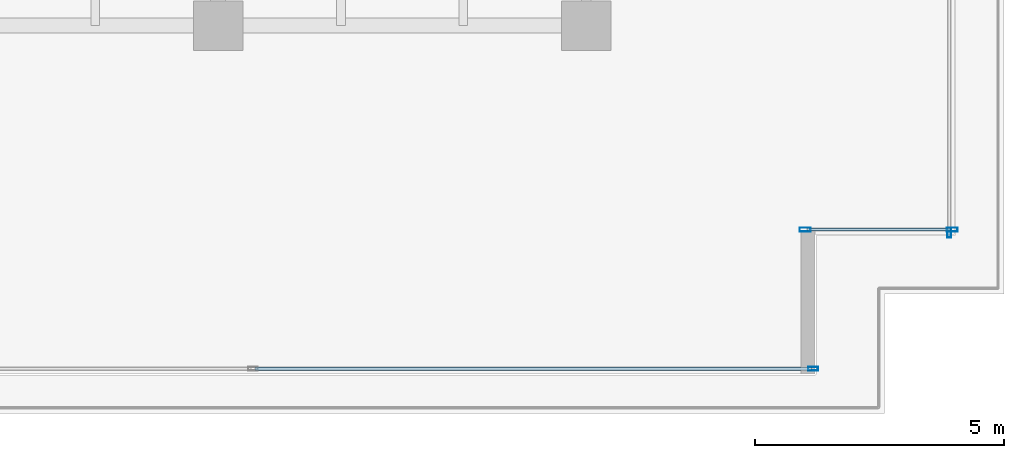
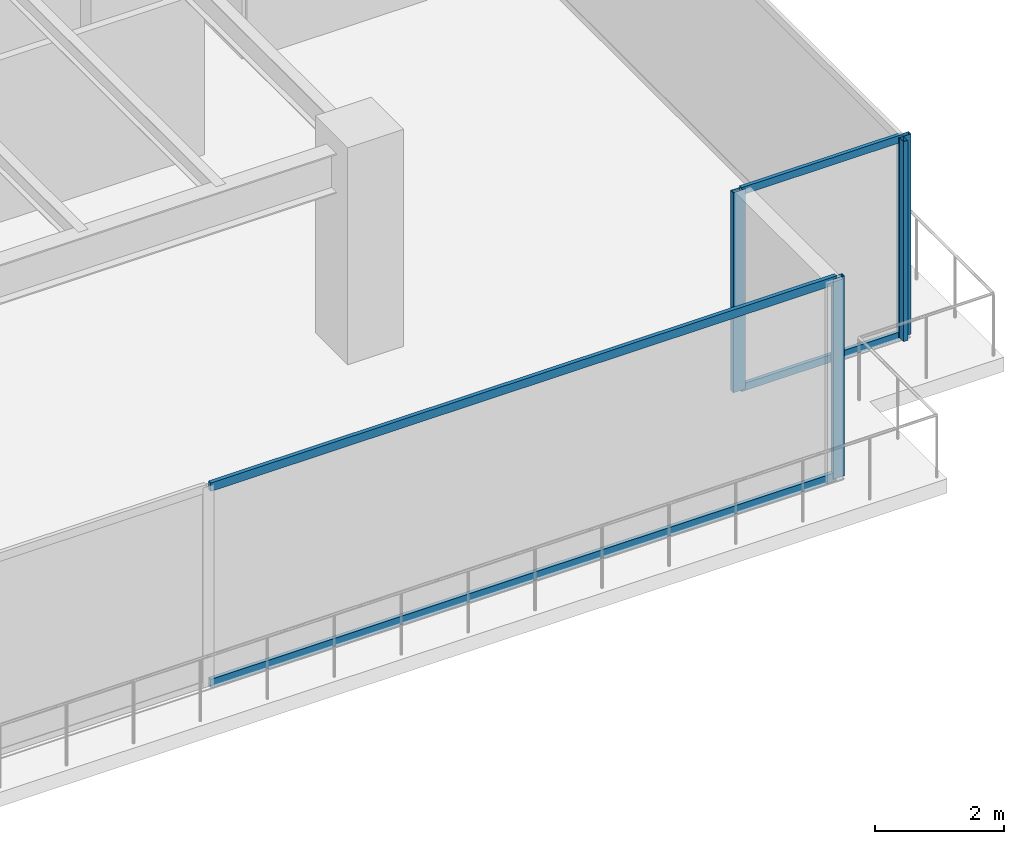
# One storey, part 23 of 36: 8 members, 3 elements without a shape of their own.
"""IFC4 building model written with IfcOpenShell, lengths in metres."""

from ifc_helpers import new_model, si_unit, direction, frame, origin, origin_2d, place, context, subcontext, project, spatial, hollow_rectangle, extrude, source, transform, mapped, material, layer, layer_set, material_profile, profile_set, type_object, type_shapes, element, aggregate, save


model = new_model("IFC4")

# Units and contexts
model_context = context("Model", 3, precision=1e-05, world=origin(), true_north=direction((0.0, 1.0)))
body_context = subcontext(model_context, "Body", "Model", "MODEL_VIEW")
ifc_project = project(units=[si_unit("LENGTHUNIT", "METRE"), si_unit("AREAUNIT", "SQUARE_METRE"), si_unit("VOLUMEUNIT", "CUBIC_METRE"), si_unit("PLANEANGLEUNIT", "RADIAN"), si_unit("MASSUNIT", "GRAM", prefix="KILO")], contexts=[model_context])

# Site, building, storey
site_placement = place(None, origin())
site = spatial("IfcSite", under=ifc_project, at=site_placement, CompositionType="ELEMENT")
building_placement = place(site_placement, origin())
building = spatial("IfcBuilding", under=site, at=building_placement, Name="Haelvirn Gate Laboratories", CompositionType="ELEMENT")
storey_placement = place(building_placement, frame((0.0, 0.0, 25.199951171875)))
storey = spatial("IfcBuildingStorey", under=building, at=storey_placement, Name="L06", CompositionType="ELEMENT", Elevation=25.199951171875)

# Curtain wall, member
ifc_material_1 = material(Name="Anodised bronze unitised aluminium & triple low-E glass", Category="aluminium")
ifc_layer_1 = layer(ifc_material_1, 0.18408203125, Name="CW-SYS-2")
ifc_layer_set_1 = layer_set([ifc_layer_1], Name="Anodised bronze unitised aluminium & triple low-E glass")
curtain_wall_type_1 = type_object("IfcCurtainWallType", Name="CW-SYS-2", PredefinedType="NOTDEFINED", material=ifc_layer_set_1)
curtain_wall_1_placement = place(storey_placement, origin())
curtain_wall_1 = element("IfcCurtainWall", 1, at=curtain_wall_1_placement, inside=storey, type_object=curtain_wall_type_1, Name="L06 Unitised Curtain Wall CW-L06-P0-E04-1", PredefinedType="NOTDEFINED")
ifc_material_2 = material(Name="Extruded aluminium 6063-T6 (anodised bronze)", Category="aluminium")
ifc_material_profile_1 = material_profile(ifc_material_2, hollow_rectangle(XDim=0.074951171875, YDim=0.199951171875, WallThickness=0.0048828125, at=origin_2d()), Name="CWM-200x75x5")
ifc_profile_set_1 = profile_set([ifc_material_profile_1], Name="Extruded aluminium 6063-T6 (anodised bronze)")
member_type_1 = type_object("IfcMemberType", Name="CWM-T200", PredefinedType="MULLION", material=ifc_profile_set_1)
shared_shape_1 = source(origin(), body_context, "Body", "SweptSolid", [
    extrude(hollow_rectangle(XDim=0.074951171875, YDim=0.199951171875, WallThickness=0.0048828125, at=origin_2d()), origin(), (0.0, 0.0, 1.0), 3.780029296875),
])
type_shapes(member_type_1, [shared_shape_1])
member_1_placement = place(storey_placement, frame((71.96240234375, 0.10009765625, 0.0), z_axis=(0.0, 0.0, 1.0), x_axis=(0.0, 1.0, 0.0)))
member_1 = element("IfcMember", 2, at=member_1_placement, type_object=member_type_1, Name="CW2 mullion 3", PredefinedType="MULLION", context=body_context, shape_type="MappedRepresentation", body=[
    mapped(shared_shape_1, transform((0.0, 0.0, 0.0), scale=1.0)),
])

curtain_wall_2_placement = place(storey_placement, origin())
curtain_wall_2 = element("IfcCurtainWall", 3, at=curtain_wall_2_placement, inside=storey, type_object=curtain_wall_type_1, Name="L06 Unitised Curtain Wall CW-L06-P0-E07", PredefinedType="NOTDEFINED")
member_2_placement = place(storey_placement, frame((74.699951171875, 2.83740234375, 0.0), z_axis=(0.0, 0.0, 1.0), x_axis=(-1.0, 0.0, 0.0)))
member_2 = element("IfcMember", 4, at=member_2_placement, type_object=member_type_1, Name="CW2 mullion 1", PredefinedType="MULLION", context=body_context, shape_type="MappedRepresentation", body=[
    mapped(shared_shape_1, transform((0.0, 0.0, 0.0), scale=1.0)),
])
aggregate(curtain_wall_2, [member_2])

# Member
ifc_material_profile_2 = material_profile(ifc_material_2, hollow_rectangle(XDim=0.070068359375, YDim=0.159912109375, WallThickness=0.0048828125, at=origin_2d()), Name="CWT-160x70x5")
ifc_profile_set_2 = profile_set([ifc_material_profile_2], Name="Extruded aluminium 6063-T6 (anodised bronze)")
member_type_2 = type_object("IfcMemberType", Name="CWT-T160", PredefinedType="USERDEFINED", material=ifc_profile_set_2)
shared_shape_2 = source(origin(), body_context, "Body", "SweptSolid", [
    extrude(hollow_rectangle(XDim=0.070068359375, YDim=0.159912109375, WallThickness=0.0048828125, at=origin_2d()), origin(), (0.0, 0.0, 1.0), 11.1875),
])
type_shapes(member_type_2, [shared_shape_2])
member_3_placement = place(storey_placement, frame((60.737548828125, 0.10009765625, 0.03515625), z_axis=(1.0, 0.0, 0.0), x_axis=(0.0, 1.0, 0.0)))
member_3 = element("IfcMember", 5, at=member_3_placement, type_object=member_type_2, Name="CW2 transom 2.1", ObjectType="TRANSOM", PredefinedType="USERDEFINED", context=body_context, shape_type="MappedRepresentation", body=[
    mapped(shared_shape_2, transform((0.0, 0.0, 0.0), scale=1.0)),
])

member_4_placement = place(storey_placement, frame((60.737548828125, 0.10009765625, 3.7451171875), z_axis=(1.0, 0.0, 0.0), x_axis=(0.0, 1.0, 0.0)))
member_4 = element("IfcMember", 6, at=member_4_placement, type_object=member_type_2, Name="CW2 transom 2.2", ObjectType="TRANSOM", PredefinedType="USERDEFINED", context=body_context, shape_type="MappedRepresentation", body=[
    mapped(shared_shape_2, transform((0.0, 0.0, 0.0), scale=1.0)),
])

aggregate(curtain_wall_1, [member_1, member_3, member_4])

# Curtain wall, members
ifc_layer_2 = layer(ifc_material_1, 0.181884765625, Name="CW-SYS-5")
ifc_layer_set_2 = layer_set([ifc_layer_2], Name="Anodised bronze unitised aluminium & triple low-E glass")
curtain_wall_type_2 = type_object("IfcCurtainWallType", Name="CW-SYS-5", PredefinedType="NOTDEFINED", material=ifc_layer_set_2)
curtain_wall_3_placement = place(storey_placement, origin())
curtain_wall_3 = element("IfcCurtainWall", 7, at=curtain_wall_3_placement, inside=storey, type_object=curtain_wall_type_2, Name="L06 Unitised Curtain Wall CW-L06-P0-E06-1", PredefinedType="NOTDEFINED")
ifc_material_profile_3 = material_profile(ifc_material_2, hollow_rectangle(XDim=0.080078125, YDim=0.219970703125, WallThickness=0.006103515625, at=origin_2d()), Name="CWM-220x80x6")
ifc_profile_set_3 = profile_set([ifc_material_profile_3], Name="Extruded aluminium 6063-T6 (anodised bronze)")
member_type_3 = type_object("IfcMemberType", Name="CWM-T220", PredefinedType="MULLION", material=ifc_profile_set_3)
shared_shape_3 = source(origin(), body_context, "Body", "SweptSolid", [
    extrude(hollow_rectangle(XDim=0.080078125, YDim=0.219970703125, WallThickness=0.006103515625, at=origin_2d()), origin(), (0.0, 0.0, 1.0), 3.780029296875),
])
type_shapes(member_type_3, [shared_shape_3])
member_5_placement = place(storey_placement, frame((71.800048828125, 2.89990234375, 0.0), z_axis=(0.0, 0.0, 1.0), x_axis=(0.0, 1.0, 0.0)))
member_5 = element("IfcMember", 8, at=member_5_placement, type_object=member_type_3, Name="CW5 mullion 1", PredefinedType="MULLION", context=body_context, shape_type="MappedRepresentation", body=[
    mapped(shared_shape_3, transform((0.0, 0.0, 0.0), scale=1.0)),
])
member_6_placement = place(storey_placement, frame((74.760009765625, 2.89990234375, 0.0), z_axis=(0.0, 0.0, 1.0), x_axis=(0.0, 1.0, 0.0)))
member_6 = element("IfcMember", 9, at=member_6_placement, type_object=member_type_3, Name="CW5 mullion 2", PredefinedType="MULLION", context=body_context, shape_type="MappedRepresentation", body=[
    mapped(shared_shape_3, transform((0.0, 0.0, 0.0), scale=1.0)),
])
ifc_material_profile_4 = material_profile(ifc_material_2, hollow_rectangle(XDim=0.06494140625, YDim=0.139892578125, WallThickness=0.00390625, at=origin_2d()), Name="CWT-140x65x4")
ifc_profile_set_4 = profile_set([ifc_material_profile_4], Name="Extruded aluminium 6063-T6 (anodised bronze)")
member_type_4 = type_object("IfcMemberType", Name="CWT-T140", PredefinedType="USERDEFINED", material=ifc_profile_set_4)
shared_shape_4 = source(origin(), body_context, "Body", "SweptSolid", [
    extrude(hollow_rectangle(XDim=0.06494140625, YDim=0.139892578125, WallThickness=0.00390625, at=origin_2d()), origin(), (0.0, 0.0, 1.0), 2.8798828125),
])
type_shapes(member_type_4, [shared_shape_4])
member_7_placement = place(storey_placement, frame((71.840087890625, 2.89990234375, 0.032470703125), z_axis=(1.0, 0.0, 0.0), x_axis=(0.0, 1.0, 0.0)))
member_7 = element("IfcMember", 10, at=member_7_placement, type_object=member_type_4, Name="CW5 transom 1.1", ObjectType="TRANSOM", PredefinedType="USERDEFINED", context=body_context, shape_type="MappedRepresentation", body=[
    mapped(shared_shape_4, transform((0.0, 0.0, 0.0), scale=1.0)),
])
member_8_placement = place(storey_placement, frame((71.840087890625, 2.89990234375, 3.74755859375), z_axis=(1.0, 0.0, 0.0), x_axis=(0.0, 1.0, 0.0)))
member_8 = element("IfcMember", 11, at=member_8_placement, type_object=member_type_4, Name="CW5 transom 1.2", ObjectType="TRANSOM", PredefinedType="USERDEFINED", context=body_context, shape_type="MappedRepresentation", body=[
    mapped(shared_shape_4, transform((0.0, 0.0, 0.0), scale=1.0)),
])
aggregate(curtain_wall_3, [member_5, member_6, member_7, member_8])

save(model, "model.ifc")
